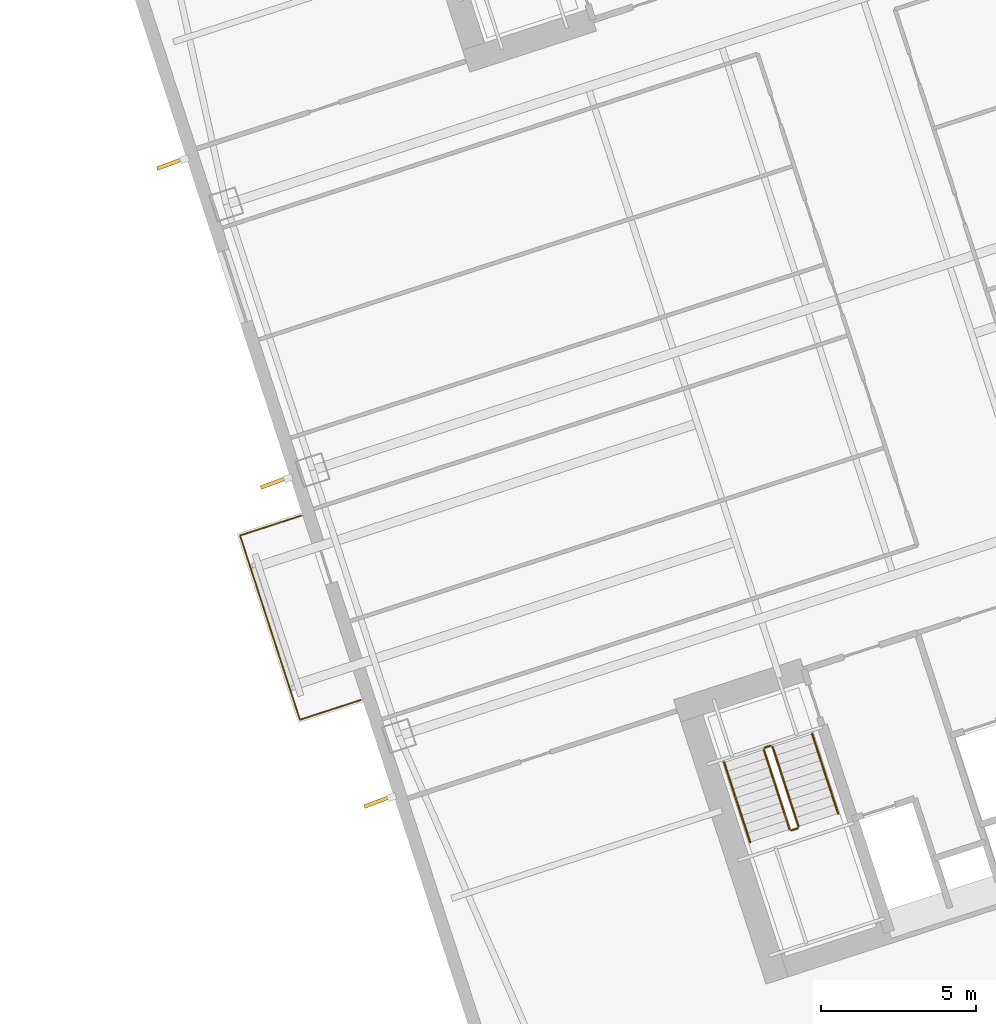
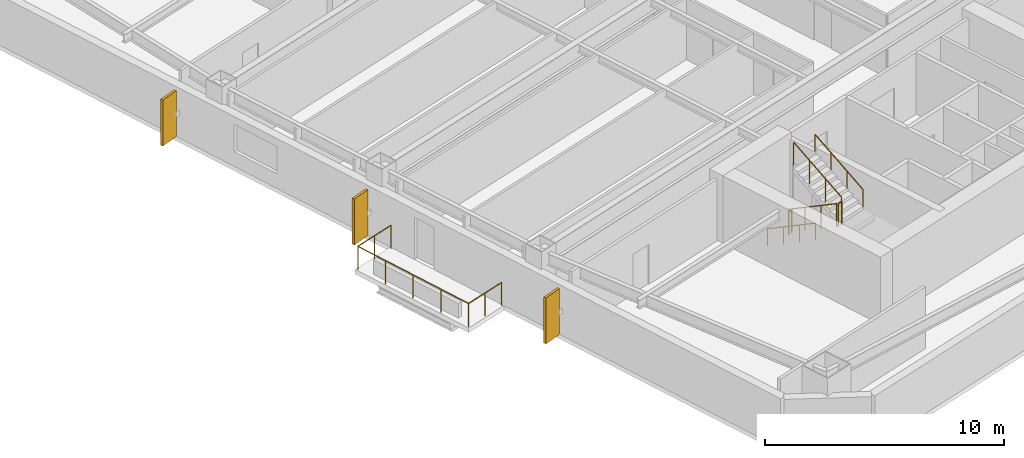
# One storey, part 18 of 19: 7 railings, 3 shading devices.
"""IFC4 building model written with IfcOpenShell, lengths in metres."""

from ifc_helpers import new_model, si_unit, direction, frame, origin, origin_2d, place, context, subcontext, project, spatial, rectangle, circle, extrude, material, layer, layer_set, type_object, element, save


model = new_model("IFC4")

# Units and contexts
model_context = context("Model", 3, precision=1e-05, world=origin(), true_north=direction((0.0, 1.0)))
body_context = subcontext(model_context, "Body", "Model", "MODEL_VIEW")
ifc_project = project(units=[si_unit("LENGTHUNIT", "METRE"), si_unit("AREAUNIT", "SQUARE_METRE"), si_unit("VOLUMEUNIT", "CUBIC_METRE"), si_unit("PLANEANGLEUNIT", "RADIAN"), si_unit("MASSUNIT", "GRAM", prefix="KILO")], contexts=[model_context])

# Site, building, storey
site_placement = place(None, origin())
site = spatial("IfcSite", under=ifc_project, at=site_placement, CompositionType="ELEMENT")
building_placement = place(site_placement, origin())
building = spatial("IfcBuilding", under=site, at=building_placement, Name="Qiaolan Cultural Towers", CompositionType="ELEMENT")
storey_placement = place(building_placement, frame((0.0, 0.0, 88.550048828125)))
storey = spatial("IfcBuildingStorey", under=building, at=storey_placement, Name="L22", CompositionType="ELEMENT", Elevation=88.550048828125)

# Railings
ifc_material_1 = material(Name="Laminated SentryGlas & Stainless Steel S31608 Balustrade", Category="steel")
railing_type_1 = type_object("IfcRailingType", Name="GRD-TERR-1200", PredefinedType="BALUSTRADE", material=ifc_material_1)
railing_1_placement = place(storey_placement, frame((75.6328125, 21.4248046875, 0.0)))
element("IfcRailing", 1, at=railing_1_placement, inside=storey, type_object=railing_type_1, Name="L22 T2 Tree Balcony Guardrail W", PredefinedType="BALUSTRADE", context=body_context, shape_type="SweptSolid", body=[
    extrude(circle(Radius=0.02392578125, at=origin_2d()), frame((0.0, 0.0, 1.17578125), z_axis=(-0.951061799618, -0.309000733507, 0.0), x_axis=(0.309000733507, -0.951061799618, 0.0)), (0.0, 0.0, 1.0), 2.070068359375),
    extrude(circle(Radius=0.02392578125, at=origin_2d()), frame((-1.96875, -0.6396484375, 1.17578125), z_axis=(-0.30901175762, 0.951058217804, 0.0), x_axis=(-0.951058217804, -0.30901175762, 0.0)), (0.0, 0.0, 1.0), 6.239990234375),
    extrude(circle(Radius=0.02392578125, at=origin_2d()), frame((-3.89697265625, 5.294921875, 1.17578125), z_axis=(0.951061799618, 0.309000733507, 0.0), x_axis=(-0.309000733507, 0.951061799618, 0.0)), (0.0, 0.0, 1.0), 2.070068359375),
    extrude(circle(Radius=0.02099609375, at=origin_2d()), origin(), (0.0, 0.0, 1.0), 1.15185546875),
    extrude(circle(Radius=0.02099609375, at=origin_2d()), frame((-0.984375, -0.31982421875, 0.0)), (0.0, 0.0, 1.0), 1.15185546875),
    extrude(circle(Radius=0.02099609375, at=origin_2d()), frame((-1.96875, -0.6396484375, 0.0)), (0.0, 0.0, 1.0), 1.15185546875),
    extrude(circle(Radius=0.02099609375, at=origin_2d()), frame((-2.45068359375, 0.843994140625, 0.0)), (0.0, 0.0, 1.0), 1.15185546875),
    extrude(circle(Radius=0.02099609375, at=origin_2d()), frame((-2.932861328125, 2.32763671875, 0.0)), (0.0, 0.0, 1.0), 1.15185546875),
    extrude(circle(Radius=0.02099609375, at=origin_2d()), frame((-3.4150390625, 3.811279296875, 0.0)), (0.0, 0.0, 1.0), 1.15185546875),
    extrude(circle(Radius=0.02099609375, at=origin_2d()), frame((-3.89697265625, 5.294921875, 0.0)), (0.0, 0.0, 1.0), 1.15185546875),
    extrude(circle(Radius=0.02099609375, at=origin_2d()), frame((-2.91259765625, 5.61474609375, 0.0)), (0.0, 0.0, 1.0), 1.15185546875),
    extrude(circle(Radius=0.02099609375, at=origin_2d()), frame((-1.92822265625, 5.9345703125, 0.0)), (0.0, 0.0, 1.0), 1.15185546875),
])
ifc_material_2 = material(Name="Galvanized Painted Steel Stair Guardrail", Category="steel")
railing_type_2 = type_object("IfcRailingType", Name="RL-STAIR-GRD", PredefinedType="GUARDRAIL", material=ifc_material_2)
railing_2_placement = place(storey_placement, frame((88.60205078125, 19.82421875, 0.17236328125)))
element("IfcRailing", 2, at=railing_2_placement, inside=storey, type_object=railing_type_2, Name="L22 ST-E1 stair guard 1", PredefinedType="GUARDRAIL", context=body_context, shape_type="SweptSolid", body=[
    extrude(circle(Radius=0.02392578125, at=origin_2d()), frame((0.0, 0.0, 1.17578125), z_axis=(0.267925668498, -0.824471088726, 0.498460891159), x_axis=(0.951043371037, 0.309057448393, 0.0)), (0.0, 0.0, 1.0), 3.114501953125),
    extrude(circle(Radius=0.02099609375, at=origin_2d()), origin(), (0.0, 0.0, 1.0), 1.15185546875),
    extrude(circle(Radius=0.02099609375, at=origin_2d()), frame((0.278076171875, -0.85595703125, 0.517578125)), (0.0, 0.0, 1.0), 1.15185546875),
    extrude(circle(Radius=0.02099609375, at=origin_2d()), frame((0.556396484375, -1.7119140625, 1.034912109375)), (0.0, 0.0, 1.0), 1.15185546875),
    extrude(circle(Radius=0.02099609375, at=origin_2d()), frame((0.83447265625, -2.56787109375, 1.552490234375)), (0.0, 0.0, 1.0), 1.15185546875),
])
railing_3_placement = place(storey_placement, frame((89.49951171875, 17.224365234375, 1.724853515625)))
element("IfcRailing", 3, at=railing_3_placement, inside=storey, type_object=railing_type_2, Name="L22 ST-E1 stair guard 2", PredefinedType="GUARDRAIL", context=body_context, shape_type="SweptSolid", body=[
    extrude(circle(Radius=0.02392578125, at=origin_2d()), frame((0.0, 0.0, 1.17578125), z_axis=(0.951096855055, 0.308892816854, 0.0), x_axis=(-0.308892816854, 0.951096855055, 0.0)), (0.0, 0.0, 1.0), 0.199951171875),
    extrude(circle(Radius=0.02099609375, at=origin_2d()), origin(), (0.0, 0.0, 1.0), 1.15185546875),
    extrude(circle(Radius=0.02099609375, at=origin_2d()), frame((0.190185546875, 0.061767578125, 0.0)), (0.0, 0.0, 1.0), 1.15185546875),
])
railing_4_placement = place(storey_placement, frame((89.721923828125, 17.34912109375, 1.8974609375)))
element("IfcRailing", 4, at=railing_4_placement, inside=storey, type_object=railing_type_2, Name="L22 ST-E1 stair guard 3", PredefinedType="GUARDRAIL", context=body_context, shape_type="SweptSolid", body=[
    extrude(circle(Radius=0.02392578125, at=origin_2d()), frame((0.0, 0.0, 1.17578125), z_axis=(-0.267925668498, 0.824471088726, 0.498460891159), x_axis=(-0.951043371037, -0.309057448393, 0.0)), (0.0, 0.0, 1.0), 3.114501953125),
    extrude(circle(Radius=0.02099609375, at=origin_2d()), origin(), (0.0, 0.0, 1.0), 1.15185546875),
    extrude(circle(Radius=0.02099609375, at=origin_2d()), frame((-0.278076171875, 0.85595703125, 0.517578125)), (0.0, 0.0, 1.0), 1.15185546875),
    extrude(circle(Radius=0.02099609375, at=origin_2d()), frame((-0.556396484375, 1.7119140625, 1.034912109375)), (0.0, 0.0, 1.0), 1.15185546875),
    extrude(circle(Radius=0.02099609375, at=origin_2d()), frame((-0.83447265625, 2.56787109375, 1.552490234375)), (0.0, 0.0, 1.0), 1.15185546875),
])
railing_5_placement = place(storey_placement, frame((88.63427734375, 19.88720703125, 0.0)))
element("IfcRailing", 5, at=railing_5_placement, inside=storey, type_object=railing_type_2, Name="L22 ST-E1 stair guard 4", PredefinedType="GUARDRAIL", context=body_context, shape_type="SweptSolid", body=[
    extrude(circle(Radius=0.02392578125, at=origin_2d()), frame((0.0, 0.0, 1.17578125), z_axis=(0.951096855055, 0.308892816854, 0.0), x_axis=(-0.308892816854, 0.951096855055, 0.0)), (0.0, 0.0, 1.0), 0.199951171875),
    extrude(circle(Radius=0.02099609375, at=origin_2d()), origin(), (0.0, 0.0, 1.0), 1.15185546875),
    extrude(circle(Radius=0.02099609375, at=origin_2d()), frame((0.190185546875, 0.061767578125, 0.0)), (0.0, 0.0, 1.0), 1.15185546875),
])
ifc_material_3 = material(Name="Stainless Steel S30408 Tubular Handrail", Category="steel")
railing_type_3 = type_object("IfcRailingType", Name="RL-STAIR-HR", PredefinedType="HANDRAIL", material=ifc_material_3)
railing_6_placement = place(storey_placement, frame((87.32763671875, 19.41015625, 0.17236328125)))
element("IfcRailing", 6, at=railing_6_placement, inside=storey, type_object=railing_type_3, Name="L22 ST-E1 stair handrail 1", PredefinedType="HANDRAIL", context=body_context, shape_type="SweptSolid", body=[
    extrude(circle(Radius=0.02392578125, at=origin_2d()), frame((0.0, 0.0, 0.8759765625), z_axis=(0.267925668498, -0.824471088726, 0.498460891159), x_axis=(0.951043371037, 0.309057448393, 0.0)), (0.0, 0.0, 1.0), 3.114501953125),
    extrude(circle(Radius=0.02099609375, at=origin_2d()), origin(), (0.0, 0.0, 1.0), 0.851806640625),
    extrude(circle(Radius=0.02099609375, at=origin_2d()), frame((0.278076171875, -0.85595703125, 0.517578125)), (0.0, 0.0, 1.0), 0.851806640625),
    extrude(circle(Radius=0.02099609375, at=origin_2d()), frame((0.556396484375, -1.7119140625, 1.034912109375)), (0.0, 0.0, 1.0), 0.851806640625),
    extrude(circle(Radius=0.02099609375, at=origin_2d()), frame((0.83447265625, -2.56787109375, 1.552490234375)), (0.0, 0.0, 1.0), 0.851806640625),
])
railing_7_placement = place(storey_placement, frame((90.996337890625, 17.76318359375, 1.8974609375)))
element("IfcRailing", 7, at=railing_7_placement, inside=storey, type_object=railing_type_3, Name="L22 ST-E1 stair handrail 2", PredefinedType="HANDRAIL", context=body_context, shape_type="SweptSolid", body=[
    extrude(circle(Radius=0.02392578125, at=origin_2d()), frame((0.0, 0.0, 0.8759765625), z_axis=(-0.267925668498, 0.824471088726, 0.498460891159), x_axis=(-0.951043371037, -0.309057448393, 0.0)), (0.0, 0.0, 1.0), 3.114501953125),
    extrude(circle(Radius=0.02099609375, at=origin_2d()), origin(), (0.0, 0.0, 1.0), 0.851806640625),
    extrude(circle(Radius=0.02099609375, at=origin_2d()), frame((-0.278076171875, 0.85595703125, 0.517578125)), (0.0, 0.0, 1.0), 0.851806640625),
    extrude(circle(Radius=0.02099609375, at=origin_2d()), frame((-0.556396484375, 1.7119140625, 1.034912109375)), (0.0, 0.0, 1.0), 0.851806640625),
    extrude(circle(Radius=0.02099609375, at=origin_2d()), frame((-0.83447265625, 2.56787109375, 1.552490234375)), (0.0, 0.0, 1.0), 0.851806640625),
])

# Shading devices
ifc_material_4 = material(Name="Dark Basalt Honed Precast Terracotta Fin", Category="masonry")
ifc_layer = layer(ifc_material_4, 0.1201171875)
ifc_layer_set = layer_set([ifc_layer], Name="Dark Basalt Honed Precast Terracotta Fin")
shading_device_type = type_object("IfcShadingDeviceType", Name="SHD-FIN-DARK", PredefinedType="USERDEFINED", material=ifc_layer_set)
for number, where, z_axis, x_axis, name in (
    (8, (76.161376953125, 18.147705078125, 0.099853515625), (0.0, 0.0, 1.0), (0.936030529583, 0.351918808376, 0.0), "L22 T2 Expressive Precast Vertical Fin W1"),
    (9, (72.823974609375, 28.419189453125, 0.099853515625), (0.0, 0.0, 1.0), (0.936030529583, 0.351918808376, 0.0), "L22 T2 Expressive Precast Vertical Fin W2"),
    (10, (69.486572265625, 38.690673828125, 0.099853515625), (0.0, 0.0, 1.0), (0.936030529583, 0.351918808376, 0.0), "L22 T2 Expressive Precast Vertical Fin W3"),
):
    element("IfcShadingDevice", number, at=place(storey_placement, frame(where, z_axis=z_axis, x_axis=x_axis)), inside=storey, type_object=shading_device_type, Name=name, ObjectType="FIN", PredefinedType="USERDEFINED", context=body_context, shape_type="SweptSolid", body=[
        extrude(rectangle(XDim=0.89990234375, YDim=0.1201171875, at=origin_2d()), origin(), (0.0, 0.0, 1.0), 2.35009765625),
    ])

save(model, "model.ifc")
